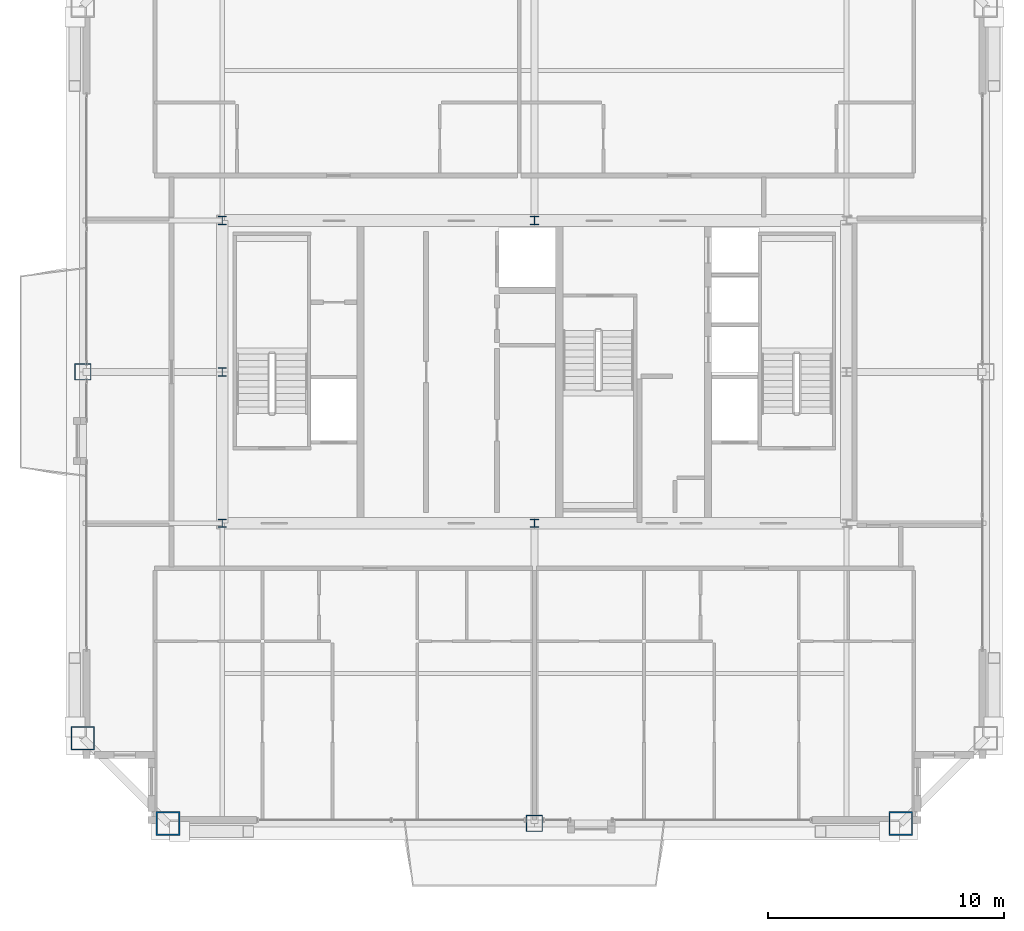
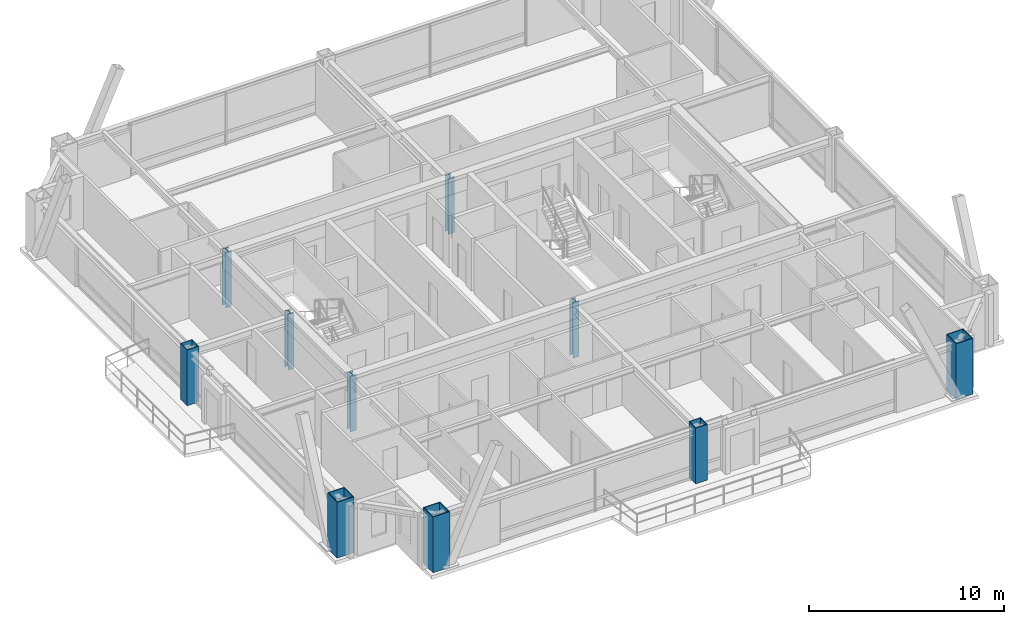
# One storey, part 1 of 33: 10 columns.
"""IFC4 building model written with IfcOpenShell, lengths in metres."""

from ifc_helpers import new_model, si_unit, direction, frame, origin, origin_2d, place, context, subcontext, project, spatial, hollow_rectangle, i_section, extrude, source, transform, mapped, material, material_profile, profile_set, type_object, element, save


model = new_model("IFC4")

# Units and contexts
model_context = context("Model", 3, precision=1e-05, world=origin(), true_north=direction((0.0, 1.0)))
body_context = subcontext(model_context, "Body", "Model", "MODEL_VIEW")
ifc_project = project(units=[si_unit("LENGTHUNIT", "METRE"), si_unit("AREAUNIT", "SQUARE_METRE"), si_unit("VOLUMEUNIT", "CUBIC_METRE"), si_unit("PLANEANGLEUNIT", "RADIAN"), si_unit("MASSUNIT", "GRAM", prefix="KILO"), si_unit("THERMODYNAMICTEMPERATUREUNIT", "KELVIN"), si_unit("POWERUNIT", "WATT")], contexts=[model_context])

# Site, building, storey
site_placement = place(None, origin())
site = spatial("IfcSite", under=ifc_project, at=site_placement, CompositionType="ELEMENT")
building_placement = place(site_placement, origin())
building = spatial("IfcBuilding", under=site, at=building_placement, Name="Yuzanri Waterfront Tower", CompositionType="ELEMENT")
storey_placement = place(building_placement, frame((0.0, 0.0, 321.699951171875)))
storey = spatial("IfcBuildingStorey", under=building, at=storey_placement, Name="L86", CompositionType="ELEMENT", Elevation=321.699951171875)

# Columns
ifc_material_1 = material(Name="Steel Q355B", Category="steel")
ifc_material_profile_1 = material_profile(ifc_material_1, hollow_rectangle(XDim=0.699951171875, YDim=0.699951171875, WallThickness=0.031982421875, at=origin_2d()), Name="RHS 700x700x32")
ifc_profile_set_1 = profile_set([ifc_material_profile_1], Name="Steel Q355B")
column_type_1 = type_object("IfcColumnType", Name="Frame Column Q355B RHS 700x700x32", PredefinedType="COLUMN", material=ifc_profile_set_1)
shared_shape_1 = source(origin(), body_context, "Body", "SweptSolid", [
    extrude(hollow_rectangle(XDim=0.699951171875, YDim=0.699951171875, WallThickness=0.031982421875, at=origin_2d()), origin(), (0.0, 0.0, 1.0), 3.5),
])
for number, where, z_axis, x_axis, name in (
    (1, (37.0, 6.699951171875, 0.0), (0.0, 0.0, 1.0), (1.0, 0.0, 0.0), "L86 Perimeter Frame Column S2"),
    (2, (17.89990234375, 25.800048828125, 0.0), (0.0, 0.0, 1.0), (1.0, 0.0, 0.0), "L86 Perimeter Frame Column W2"),
):
    element("IfcColumn", number, at=place(storey_placement, frame(where, z_axis=z_axis, x_axis=x_axis)), inside=storey, type_object=column_type_1, Name=name, PredefinedType="COLUMN", context=body_context, shape_type="MappedRepresentation", body=[
        mapped(shared_shape_1, transform((0.0, 0.0, 0.0), scale=1.0)),
    ])
ifc_material_2 = material(Name="Steel Q355B", Category="steel")
ifc_material_profile_2 = material_profile(ifc_material_2, i_section(OverallWidth=0.35009765625, OverallDepth=0.35009765625, WebThickness=0.011962890625, FlangeThickness=0.01904296875, at=origin_2d()), Name="HW 350x350x12x19")
ifc_profile_set_2 = profile_set([ifc_material_profile_2], Name="Steel Q355B")
column_type_2 = type_object("IfcColumnType", Name="Core Post Q355B HW 350x350x12x19", PredefinedType="COLUMN", material=ifc_profile_set_2)
shared_shape_2 = source(origin(), body_context, "Body", "SweptSolid", [
    extrude(i_section(OverallWidth=0.35009765625, OverallDepth=0.35009765625, WebThickness=0.011962890625, FlangeThickness=0.01904296875, at=origin_2d()), origin(), (0.0, 0.0, 1.0), 3.5),
])
for number, where, z_axis, x_axis, name in (
    (3, (23.800048828125, 19.39990234375, 0.0), (0.0, 0.0, 1.0), (1.0, 0.0, 0.0), "L86 Core Boundary Column CP1"),
    (4, (37.0, 19.39990234375, 0.0), (0.0, 0.0, 1.0), (1.0, 0.0, 0.0), "L86 Core Boundary Column CP2"),
    (5, (23.800048828125, 25.800048828125, 0.0), (0.0, 0.0, 1.0), (1.0, 0.0, 0.0), "L86 Core Boundary Column CP4"),
    (6, (23.800048828125, 32.199951171875, 0.0), (0.0, 0.0, 1.0), (1.0, 0.0, 0.0), "L86 Core Boundary Column CP6"),
    (7, (37.0, 32.199951171875, 0.0), (0.0, 0.0, 1.0), (1.0, 0.0, 0.0), "L86 Core Boundary Column CP7"),
):
    element("IfcColumn", number, at=place(storey_placement, frame(where, z_axis=z_axis, x_axis=x_axis)), inside=storey, type_object=column_type_2, Name=name, PredefinedType="COLUMN", context=body_context, shape_type="MappedRepresentation", body=[
        mapped(shared_shape_2, transform((0.0, 0.0, 0.0), scale=1.0)),
    ])
ifc_material_3 = material(Name="Steel Q390GJC", Category="steel")
ifc_material_profile_3 = material_profile(ifc_material_3, hollow_rectangle(XDim=1.0, YDim=1.0, WallThickness=0.048095703125, at=origin_2d()), Name="RHS 1000x1000x48")
ifc_profile_set_3 = profile_set([ifc_material_profile_3], Name="Steel Q390GJC")
column_type_3 = type_object("IfcColumnType", Name="Mega Column Q390GJC RHS 1000x1000x48", PredefinedType="COLUMN", material=ifc_profile_set_3)
shared_shape_3 = source(origin(), body_context, "Body", "SweptSolid", [
    extrude(hollow_rectangle(XDim=1.0, YDim=1.0, WallThickness=0.048095703125, at=origin_2d()), origin(), (0.0, 0.0, 1.0), 3.5),
])
for number, where, z_axis, x_axis, name in (
    (8, (21.5, 6.699951171875, 0.0), (0.0, 0.0, 1.0), (1.0, 0.0, 0.0), "L86 Perimeter Mega Column S1"),
    (9, (52.5, 6.699951171875, 0.0), (0.0, 0.0, 1.0), (1.0, 0.0, 0.0), "L86 Perimeter Mega Column S3"),
    (10, (17.89990234375, 10.300048828125, 0.0), (0.0, 0.0, 1.0), (1.0, 0.0, 0.0), "L86 Perimeter Mega Column W1"),
):
    element("IfcColumn", number, at=place(storey_placement, frame(where, z_axis=z_axis, x_axis=x_axis)), inside=storey, type_object=column_type_3, Name=name, PredefinedType="COLUMN", context=body_context, shape_type="MappedRepresentation", body=[
        mapped(shared_shape_3, transform((0.0, 0.0, 0.0), scale=1.0)),
    ])

save(model, "model.ifc")
